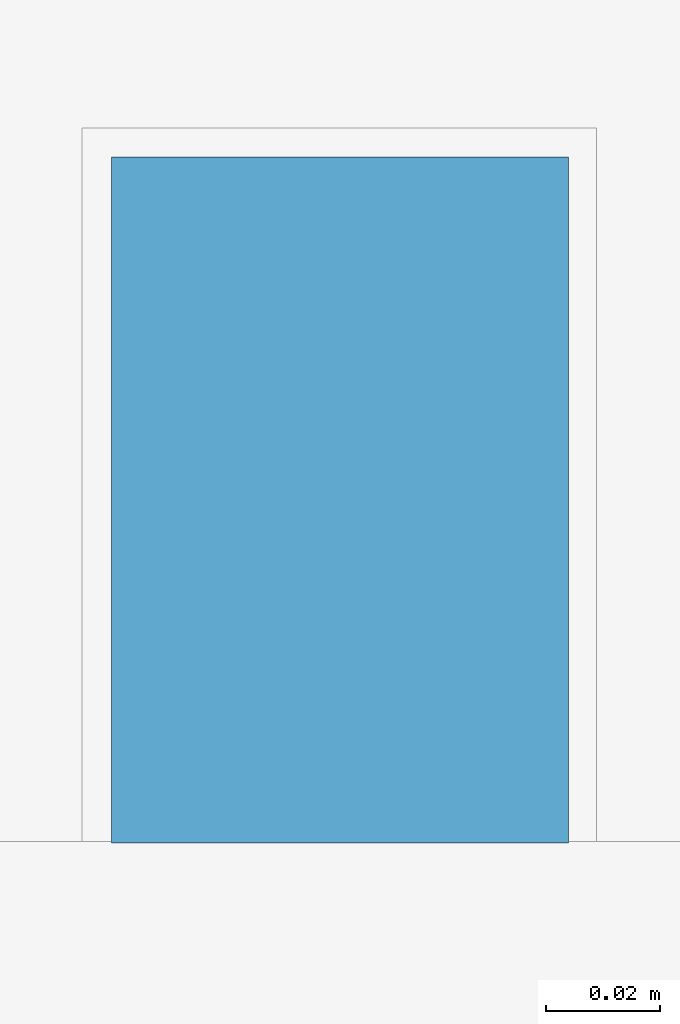
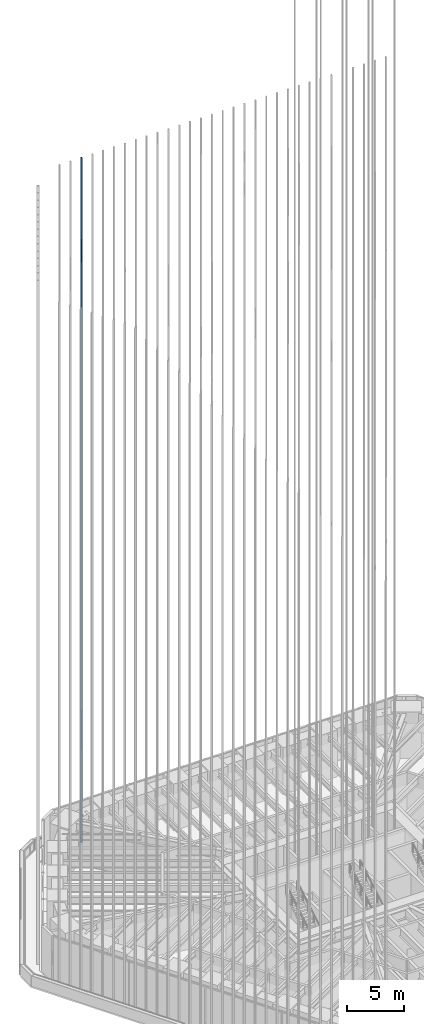
# One storey, part 157 of 228: 1 member, 1 element without a shape of its own.
"""IFC4 building model written with IfcOpenShell, lengths in metres."""

from ifc_helpers import new_model, si_unit, direction, frame, origin, origin_2d, place, context, subcontext, project, spatial, rectangle, extrude, material, material_profile, profile_set, type_object, element, aggregate, save


model = new_model("IFC4")

# Units and contexts
model_context = context("Model", 3, precision=1e-05, world=origin(), true_north=direction((0.0, 1.0)))
body_context = subcontext(model_context, "Body", "Model", "MODEL_VIEW")
ifc_project = project(units=[si_unit("LENGTHUNIT", "METRE"), si_unit("AREAUNIT", "SQUARE_METRE"), si_unit("VOLUMEUNIT", "CUBIC_METRE"), si_unit("PLANEANGLEUNIT", "RADIAN"), si_unit("MASSUNIT", "GRAM", prefix="KILO")], contexts=[model_context])

# Site, building, storey
site_placement = place(None, origin())
site = spatial("IfcSite", under=ifc_project, at=site_placement, CompositionType="ELEMENT")
building_placement = place(site_placement, origin())
building = spatial("IfcBuilding", under=site, at=building_placement, Name="Sandreach Pilgrim Tower", CompositionType="ELEMENT")
storey_placement = place(building_placement, frame((0.0, 0.0, 178.199951171875)))
storey = spatial("IfcBuildingStorey", under=building, at=storey_placement, Name="L44", CompositionType="ELEMENT", Elevation=178.199951171875)

# Curtain wall, member
ifc_material_1 = material(Name="Aluminium framed curtain wall", Category="aluminium")
curtain_wall_type = type_object("IfcCurtainWallType", Name="Upper hotel tower curtain wall", PredefinedType="NOTDEFINED", material=ifc_material_1)
curtain_wall_placement = place(storey_placement, origin())
curtain_wall = element("IfcCurtainWall", 1, at=curtain_wall_placement, inside=storey, type_object=curtain_wall_type, Name="CW-3 L44 N", PredefinedType="NOTDEFINED")
ifc_material_2 = material(Name="Extruded terracotta on aluminium core", Category="masonry")
ifc_material_profile = material_profile(ifc_material_2, rectangle(XDim=0.080078125, YDim=0.1201171875, at=origin_2d()), Name="TBN 80X120")
ifc_profile_set = profile_set([ifc_material_profile], Name="Extruded terracotta on aluminium core")
member_type = type_object("IfcMemberType", Name="Terracotta baguette north", PredefinedType="USERDEFINED", material=ifc_profile_set)
member_placement = place(storey_placement, frame((-14.298095703125, 21.52001953125, 0.0), z_axis=(0.0, 0.0, 1.0), x_axis=(1.0, 0.0, 0.0)))
member = element("IfcMember", 2, at=member_placement, type_object=member_type, Name="Baguette Z3 N03", ObjectType="BAGUETTE", PredefinedType="USERDEFINED", context=body_context, shape_type="SweptSolid", body=[
    extrude(rectangle(XDim=0.080078125, YDim=0.1201171875, at=origin_2d()), origin(), (0.0, 0.0, 1.0), 73.239990234375),
])
aggregate(curtain_wall, [member])

save(model, "model.ifc")
